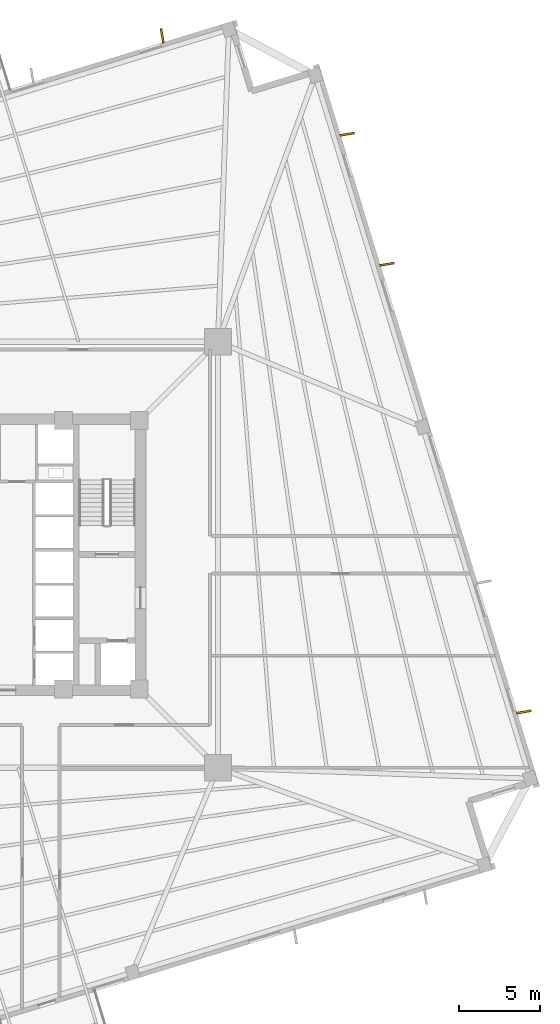
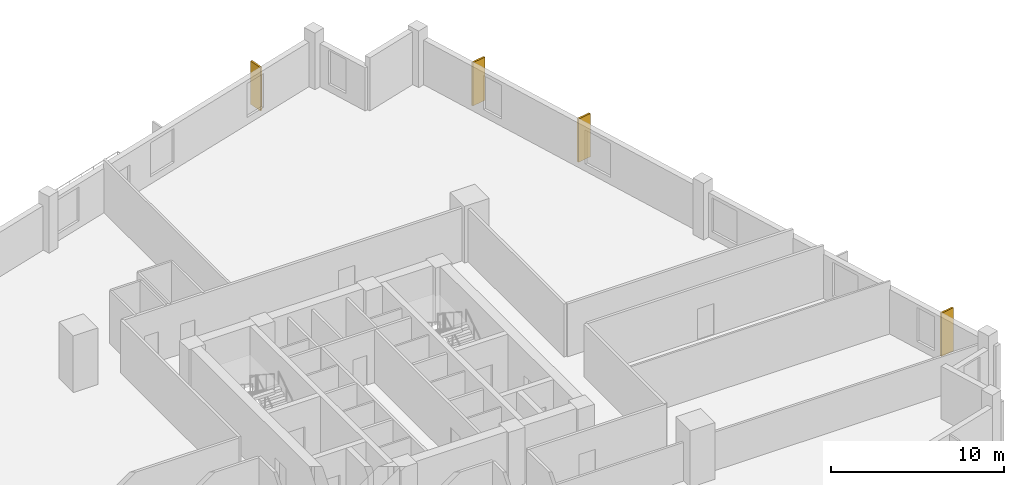
# One storey, part 8 of 8: 4 coverings.
"""IFC4 building model written with IfcOpenShell, lengths in metres."""

from ifc_helpers import new_model, si_unit, direction, frame, origin, origin_2d, place, context, subcontext, project, spatial, rectangle, extrude, source, transform, mapped, material, layer, layer_set, type_object, element, save


model = new_model("IFC4")

# Units and contexts
model_context = context("Model", 3, precision=1e-05, world=origin(), true_north=direction((0.0, 1.0)))
body_context = subcontext(model_context, "Body", "Model", "MODEL_VIEW")
ifc_project = project(units=[si_unit("LENGTHUNIT", "METRE"), si_unit("AREAUNIT", "SQUARE_METRE"), si_unit("VOLUMEUNIT", "CUBIC_METRE"), si_unit("PLANEANGLEUNIT", "RADIAN"), si_unit("MASSUNIT", "GRAM", prefix="KILO"), si_unit("THERMODYNAMICTEMPERATUREUNIT", "KELVIN")], contexts=[model_context])

# Site, building, storey
site_placement = place(None, origin())
site = spatial("IfcSite", under=ifc_project, at=site_placement, CompositionType="ELEMENT")
building_placement = place(site_placement, origin())
building = spatial("IfcBuilding", under=site, at=building_placement, Name="Kosmvard Interchange Tower", CompositionType="ELEMENT")
storey_placement = place(building_placement, frame((0.0, 0.0, 103.199951171875)))
storey = spatial("IfcBuildingStorey", under=building, at=storey_placement, Name="L24", CompositionType="ELEMENT", Elevation=103.199951171875)

# Coverings
ifc_material = material(Name="Architectural anodised aluminium", Category="aluminium")
ifc_layer = layer(ifc_material, 0.1201171875, Name="Architectural anodised aluminium")
ifc_layer_set = layer_set([ifc_layer], Name="Architectural anodised aluminium")
covering_type = type_object("IfcCoveringType", Name="Rotating Vertical Sun-Breaker Fin 900x120 Aluminium", PredefinedType="CLADDING", material=ifc_layer_set)
shared_shape = source(origin(), body_context, "Body", "SweptSolid", [
    extrude(rectangle(XDim=0.89990234375, YDim=0.1201171875, at=origin_2d()), origin(), (0.0, 0.0, 1.0), 3.06005859375),
])
for number, where, z_axis, x_axis, name in (
    (1, (31.865966796875, -9.6572265625, 0.0400390625), (0.0, 0.0, 1.0), (0.986112223329, 0.166080351041, 0.0), "L24 Rotating Vertical Sun-Breaker Fin 05"),
    (2, (23.45849609375, 17.841796875, 0.0400390625), (0.0, 0.0, 1.0), (0.986112223329, 0.166080351041, 0.0), "L24 Rotating Vertical Sun-Breaker Fin 07"),
    (3, (21.017822265625, 25.825439453125, 0.0400390625), (0.0, 0.0, 1.0), (0.986112223329, 0.166080351041, 0.0), "L24 Rotating Vertical Sun-Breaker Fin 08"),
    (4, (9.6572265625, 31.865966796875, 0.0400390625), (0.0, 0.0, 1.0), (-0.166080351041, 0.986112223329, 0.0), "L24 Rotating Vertical Sun-Breaker Fin 09"),
):
    element("IfcCovering", number, at=place(storey_placement, frame(where, z_axis=z_axis, x_axis=x_axis)), inside=storey, type_object=covering_type, Name=name, PredefinedType="CLADDING", context=body_context, shape_type="MappedRepresentation", body=[
        mapped(shared_shape, transform((0.0, 0.0, 0.0), scale=1.0)),
    ])

save(model, "model.ifc")
